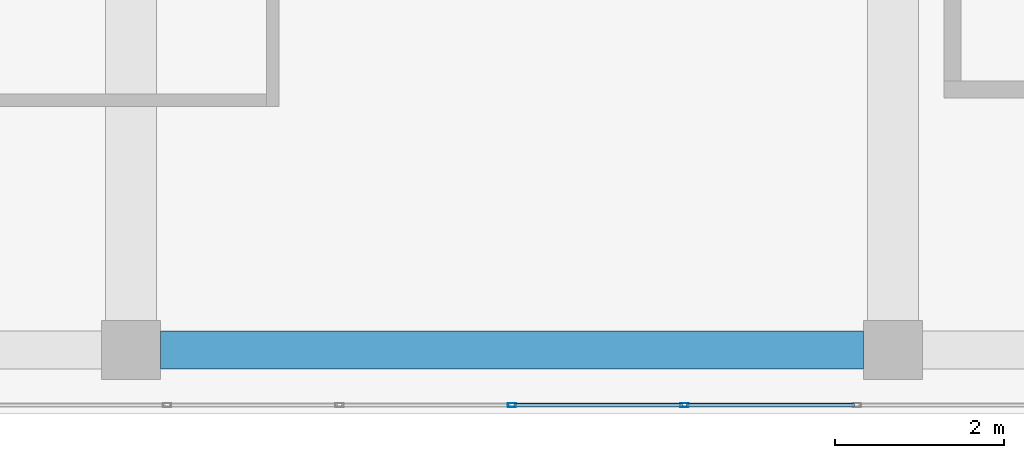
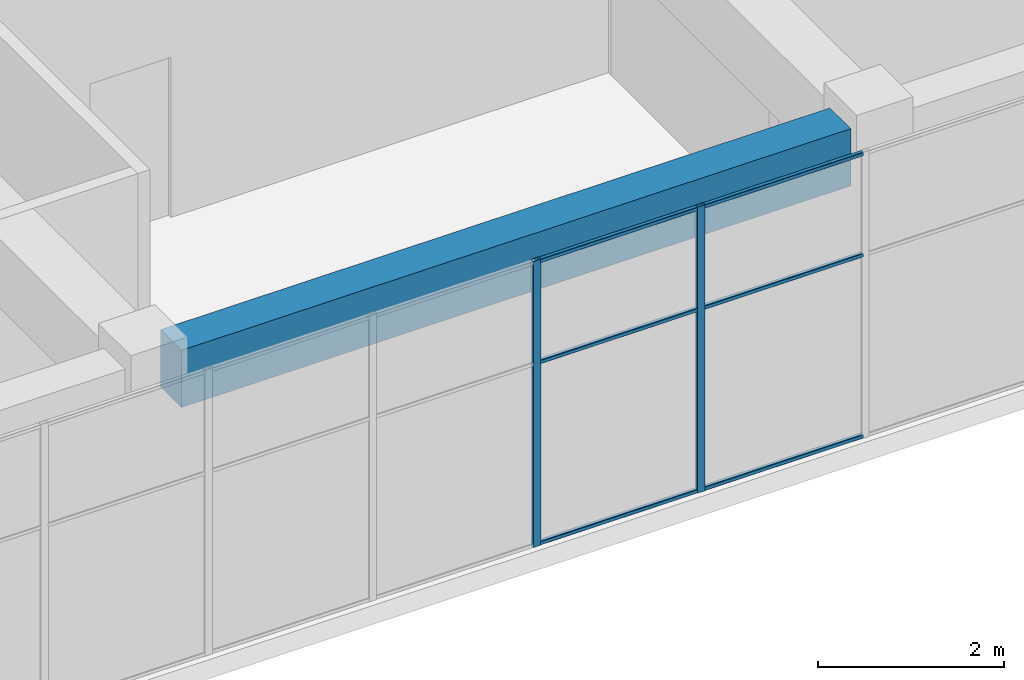
# One storey, part 13 of 43: 8 members, 1 beam, 1 element without a shape of its own.
"""IFC4 building model written with IfcOpenShell, lengths in metres."""

from ifc_helpers import new_model, si_unit, direction, frame, origin, origin_2d, place, context, subcontext, project, spatial, rectangle, hollow_rectangle, extrude, material, layer, layer_set, material_profile, profile_set, type_object, element, aggregate, save


model = new_model("IFC4")

# Units and contexts
model_context = context("Model", 3, precision=1e-05, world=origin(), true_north=direction((0.0, 1.0)))
body_context = subcontext(model_context, "Body", "Model", "MODEL_VIEW")
ifc_project = project(units=[si_unit("LENGTHUNIT", "METRE"), si_unit("AREAUNIT", "SQUARE_METRE"), si_unit("VOLUMEUNIT", "CUBIC_METRE"), si_unit("PLANEANGLEUNIT", "RADIAN"), si_unit("MASSUNIT", "GRAM", prefix="KILO")], contexts=[model_context])

# Site, building, storey
site_placement = place(None, origin())
site = spatial("IfcSite", under=ifc_project, at=site_placement, CompositionType="ELEMENT")
building_placement = place(site_placement, origin())
building = spatial("IfcBuilding", under=site, at=building_placement, Name="Tuart Plaza Theatre", CompositionType="ELEMENT")
storey_placement = place(building_placement, frame((0.0, 0.0, 33.5)))
storey = spatial("IfcBuildingStorey", under=building, at=storey_placement, Name="L08", CompositionType="ELEMENT", Elevation=33.5)

# Beam
ifc_material_1 = material(Name="Concrete N40 (40 MPa)", Category="concrete")
ifc_material_profile_1 = material_profile(ifc_material_1, rectangle(XDim=0.449951171875, YDim=0.75, at=origin_2d()), Name="BEAM 450x750 Concrete N40 (40 MPa)")
ifc_profile_set_1 = profile_set([ifc_material_profile_1], Name="Concrete N40 (40 MPa)")
beam_type = type_object("IfcBeamType", Name="BEAM 450x750 Concrete N40 (40 MPa)", PredefinedType="BEAM", material=ifc_profile_set_1)
beam_placement = place(storey_placement, frame((123.35009765625, 56.0, 3.375), z_axis=(1.0, 0.0, 0.0), x_axis=(0.0, 1.0, 0.0)))
element("IfcBeam", 1, at=beam_placement, inside=storey, type_object=beam_type, Name="RB265", PredefinedType="BEAM", context=body_context, shape_type="SweptSolid", body=[
    extrude(rectangle(XDim=0.449951171875, YDim=0.75, at=origin_2d()), origin(), (0.0, 0.0, 1.0), 8.2998046875),
])

# Curtain wall, members
ifc_material_2 = material(Name="Aluminium and glass", Category="aluminium")
ifc_layer = layer(ifc_material_2, 0.10009765625)
ifc_layer_set = layer_set([ifc_layer], Name="CURTAIN WALL 2000 module")
curtain_wall_type = type_object("IfcCurtainWallType", Name="CURTAIN WALL 2000 module", PredefinedType="NOTDEFINED", material=ifc_layer_set)
curtain_wall_placement = place(storey_placement, origin())
curtain_wall = element("IfcCurtainWall", 2, at=curtain_wall_placement, inside=storey, type_object=curtain_wall_type, Name="CW88", PredefinedType="NOTDEFINED")
ifc_material_3 = material(Name="Aluminium 6063-T5", Category="aluminium")
ifc_material_profile_2 = material_profile(ifc_material_3, hollow_rectangle(XDim=0.050048828125, YDim=0.10009765625, WallThickness=0.00390625, InnerFilletRadius=0.00390625, OuterFilletRadius=0.008056640625, at=origin_2d()), Name="RHS 100x50x4")
ifc_profile_set_2 = profile_set([ifc_material_profile_2], Name="Aluminium 6063-T5")
member_type_1 = type_object("IfcMemberType", Name="MULLION RHS 100x50x4", PredefinedType="MULLION", material=ifc_profile_set_2)
member_1_placement = place(storey_placement, frame((127.5, 55.35009765625, 0.0), z_axis=(0.0, 0.0, 1.0), x_axis=(0.0, 1.0, 0.0)))
member_1 = element("IfcMember", 3, at=member_1_placement, type_object=member_type_1, Name="CW88 mullion 8", PredefinedType="MULLION", context=body_context, shape_type="SweptSolid", body=[
    extrude(hollow_rectangle(XDim=0.050048828125, YDim=0.10009765625, WallThickness=0.00390625, InnerFilletRadius=0.00390625, OuterFilletRadius=0.008056640625, at=origin_2d()), origin(), (0.0, 0.0, 1.0), 3.75),
])
member_2_placement = place(storey_placement, frame((129.53564453125, 55.35009765625, 0.0), z_axis=(0.0, 0.0, 1.0), x_axis=(0.0, 1.0, 0.0)))
member_2 = element("IfcMember", 4, at=member_2_placement, type_object=member_type_1, Name="CW88 mullion 9", PredefinedType="MULLION", context=body_context, shape_type="SweptSolid", body=[
    extrude(hollow_rectangle(XDim=0.050048828125, YDim=0.10009765625, WallThickness=0.00390625, InnerFilletRadius=0.00390625, OuterFilletRadius=0.008056640625, at=origin_2d()), origin(), (0.0, 0.0, 1.0), 3.75),
])
ifc_material_4 = material(Name="Aluminium 6063-T5", Category="aluminium")
ifc_material_profile_3 = material_profile(ifc_material_4, hollow_rectangle(XDim=0.050048828125, YDim=0.050048828125, WallThickness=0.00390625, InnerFilletRadius=0.00390625, OuterFilletRadius=0.008056640625, at=origin_2d()), Name="RHS 50x50x4")
ifc_profile_set_3 = profile_set([ifc_material_profile_3], Name="Aluminium 6063-T5")
member_type_2 = type_object("IfcMemberType", Name="TRANSOM RHS 50x50x4", PredefinedType="USERDEFINED", material=ifc_profile_set_3)
member_3_placement = place(storey_placement, frame((127.52490234375, 55.35009765625, 0.02490234375), z_axis=(1.0, 0.0, 0.0), x_axis=(0.0, 1.0, 0.0)))
member_3 = element("IfcMember", 5, at=member_3_placement, type_object=member_type_2, Name="CW88 transom 8.1", ObjectType="TRANSOM", PredefinedType="USERDEFINED", context=body_context, shape_type="SweptSolid", body=[
    extrude(hollow_rectangle(XDim=0.050048828125, YDim=0.050048828125, WallThickness=0.00390625, InnerFilletRadius=0.00390625, OuterFilletRadius=0.008056640625, at=origin_2d()), origin(), (0.0, 0.0, 1.0), 1.98583984375),
])
member_4_placement = place(storey_placement, frame((127.52490234375, 55.35009765625, 2.39990234375), z_axis=(1.0, 0.0, 0.0), x_axis=(0.0, 1.0, 0.0)))
member_4 = element("IfcMember", 6, at=member_4_placement, type_object=member_type_2, Name="CW88 transom 8.2", ObjectType="TRANSOM", PredefinedType="USERDEFINED", context=body_context, shape_type="SweptSolid", body=[
    extrude(hollow_rectangle(XDim=0.050048828125, YDim=0.050048828125, WallThickness=0.00390625, InnerFilletRadius=0.00390625, OuterFilletRadius=0.008056640625, at=origin_2d()), origin(), (0.0, 0.0, 1.0), 1.98583984375),
])
member_5_placement = place(storey_placement, frame((127.52490234375, 55.35009765625, 3.72509765625), z_axis=(1.0, 0.0, 0.0), x_axis=(0.0, 1.0, 0.0)))
member_5 = element("IfcMember", 7, at=member_5_placement, type_object=member_type_2, Name="CW88 transom 8.3", ObjectType="TRANSOM", PredefinedType="USERDEFINED", context=body_context, shape_type="SweptSolid", body=[
    extrude(hollow_rectangle(XDim=0.050048828125, YDim=0.050048828125, WallThickness=0.00390625, InnerFilletRadius=0.00390625, OuterFilletRadius=0.008056640625, at=origin_2d()), origin(), (0.0, 0.0, 1.0), 1.98583984375),
])
member_6_placement = place(storey_placement, frame((129.560791015625, 55.35009765625, 0.02490234375), z_axis=(1.0, 0.0, 0.0), x_axis=(0.0, 1.0, 0.0)))
member_6 = element("IfcMember", 8, at=member_6_placement, type_object=member_type_2, Name="CW88 transom 9.1", ObjectType="TRANSOM", PredefinedType="USERDEFINED", context=body_context, shape_type="SweptSolid", body=[
    extrude(hollow_rectangle(XDim=0.050048828125, YDim=0.050048828125, WallThickness=0.00390625, InnerFilletRadius=0.00390625, OuterFilletRadius=0.008056640625, at=origin_2d()), origin(), (0.0, 0.0, 1.0), 1.985595703125),
])
member_7_placement = place(storey_placement, frame((129.560791015625, 55.35009765625, 2.39990234375), z_axis=(1.0, 0.0, 0.0), x_axis=(0.0, 1.0, 0.0)))
member_7 = element("IfcMember", 9, at=member_7_placement, type_object=member_type_2, Name="CW88 transom 9.2", ObjectType="TRANSOM", PredefinedType="USERDEFINED", context=body_context, shape_type="SweptSolid", body=[
    extrude(hollow_rectangle(XDim=0.050048828125, YDim=0.050048828125, WallThickness=0.00390625, InnerFilletRadius=0.00390625, OuterFilletRadius=0.008056640625, at=origin_2d()), origin(), (0.0, 0.0, 1.0), 1.985595703125),
])
member_8_placement = place(storey_placement, frame((129.560791015625, 55.35009765625, 3.72509765625), z_axis=(1.0, 0.0, 0.0), x_axis=(0.0, 1.0, 0.0)))
member_8 = element("IfcMember", 10, at=member_8_placement, type_object=member_type_2, Name="CW88 transom 9.3", ObjectType="TRANSOM", PredefinedType="USERDEFINED", context=body_context, shape_type="SweptSolid", body=[
    extrude(hollow_rectangle(XDim=0.050048828125, YDim=0.050048828125, WallThickness=0.00390625, InnerFilletRadius=0.00390625, OuterFilletRadius=0.008056640625, at=origin_2d()), origin(), (0.0, 0.0, 1.0), 1.985595703125),
])
aggregate(curtain_wall, [member_1, member_2, member_3, member_4, member_5, member_6, member_7, member_8])

save(model, "model.ifc")
